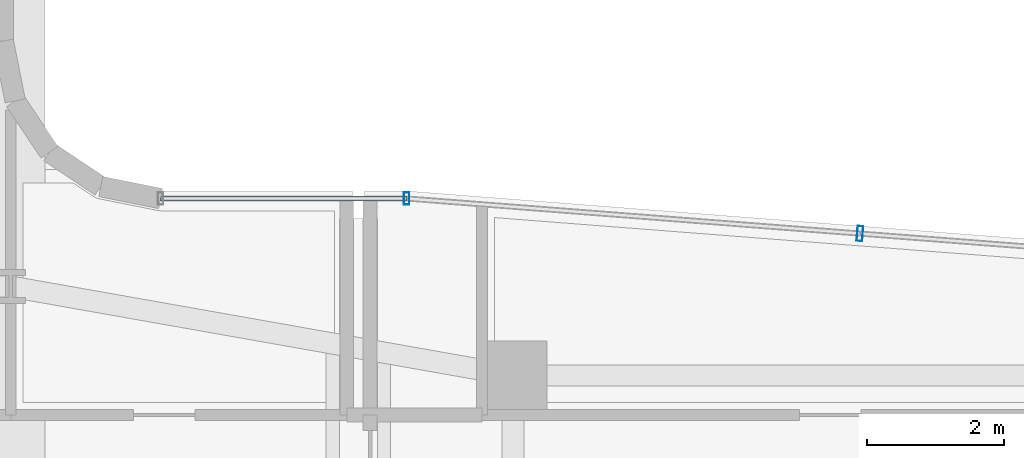
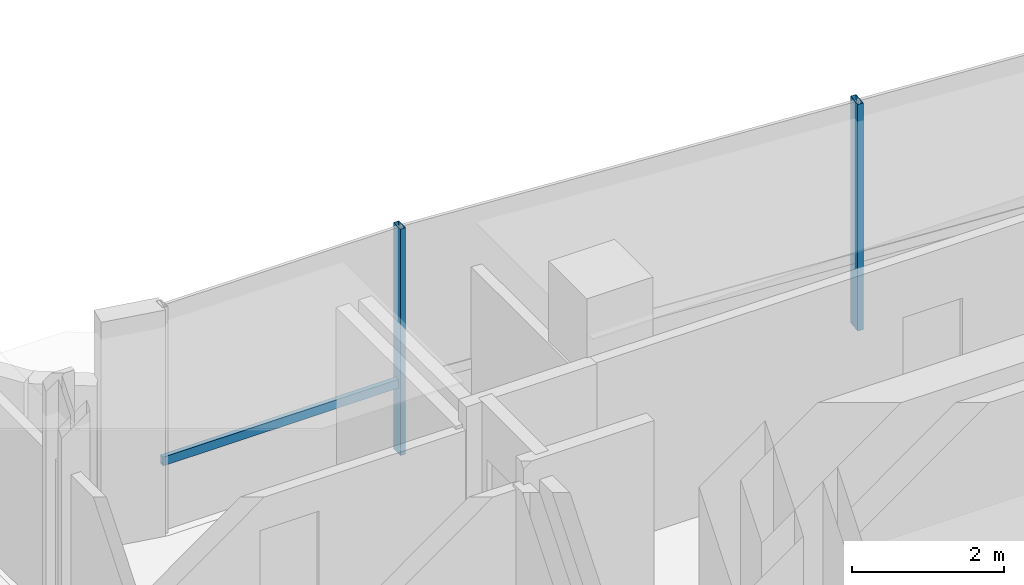
# One storey, part 23 of 37: 3 members, 2 elements without a shape of their own.
"""IFC4 building model written with IfcOpenShell, lengths in metres."""

from ifc_helpers import new_model, si_unit, direction, frame, origin, origin_2d, place, context, subcontext, project, spatial, hollow_rectangle, extrude, source, transform, mapped, material, material_profile, profile_set, type_object, element, aggregate, save


model = new_model("IFC4")

# Units and contexts
model_context = context("Model", 3, precision=1e-05, world=origin(), true_north=direction((0.0, 1.0)))
body_context = subcontext(model_context, "Body", "Model", "MODEL_VIEW")
ifc_project = project(units=[si_unit("LENGTHUNIT", "METRE"), si_unit("AREAUNIT", "SQUARE_METRE"), si_unit("VOLUMEUNIT", "CUBIC_METRE"), si_unit("PLANEANGLEUNIT", "RADIAN"), si_unit("MASSUNIT", "GRAM", prefix="KILO")], contexts=[model_context])

# Site, building, storey
site_placement = place(None, origin())
site = spatial("IfcSite", under=ifc_project, at=site_placement, CompositionType="ELEMENT")
building_placement = place(site_placement, origin())
building = spatial("IfcBuilding", under=site, at=building_placement, Name="Valdorenza Pilgrim Sanctuary Tower", CompositionType="ELEMENT")
storey_placement = place(building_placement, frame((0.0, 0.0, 188.39990234375)))
storey = spatial("IfcBuildingStorey", under=building, at=storey_placement, Name="L48", CompositionType="ELEMENT", Elevation=188.39990234375)

# Curtain wall, members
ifc_material_1 = material(Name="Curtain-wall IGU glazing", Category="glass")
curtain_wall_type_1 = type_object("IfcCurtainWallType", Name="CW-SYS-05", PredefinedType="NOTDEFINED", material=ifc_material_1)
curtain_wall_1_placement = place(storey_placement, origin())
curtain_wall_1 = element("IfcCurtainWall", 1, at=curtain_wall_1_placement, inside=storey, type_object=curtain_wall_type_1, Name="L48 Curtain Wall CW-L48-1-31", PredefinedType="NOTDEFINED")
ifc_material_2 = material(Name="Anodised aluminium AW-6060", Category="aluminium")
ifc_material_profile_1 = material_profile(ifc_material_2, hollow_rectangle(XDim=0.070068359375, YDim=0.139892578125, WallThickness=0.00341796875, at=origin_2d()), Name="ALU-T 140x70x3.5")
ifc_profile_set_1 = profile_set([ifc_material_profile_1], Name="Anodised aluminium AW-6060")
member_type_1 = type_object("IfcMemberType", Name="CW-TRN-05", PredefinedType="USERDEFINED", material=ifc_profile_set_1)
shared_shape_1 = source(origin(), body_context, "Body", "SweptSolid", [
    extrude(hollow_rectangle(XDim=0.070068359375, YDim=0.139892578125, WallThickness=0.00341796875, at=origin_2d()), origin(), (0.0, 0.0, 1.0), 3.6025390625),
])
member_1_placement = place(storey_placement, frame((10.693115234375, 16.090087890625, 1.1201171875), z_axis=(1.0, 0.0, 0.0), x_axis=(0.0, 1.0, 0.0)))
member_1 = element("IfcMember", 2, at=member_1_placement, type_object=member_type_1, Name="CW-L48-1-31 Transom 1", ObjectType="TRANSOM", PredefinedType="USERDEFINED", context=body_context, shape_type="MappedRepresentation", body=[
    mapped(shared_shape_1, transform((0.0, 0.0, 0.0), x_axis=(1.0, 0.0, 0.0), y_axis=(0.0, 1.0, 0.0), z_axis=(0.0, 0.0, 1.0), scale=1.0)),
])
ifc_material_profile_2 = material_profile(ifc_material_2, hollow_rectangle(XDim=0.080078125, YDim=0.179931640625, WallThickness=0.00439453125, at=origin_2d()), Name="ALU-M 180x80x4.5")
ifc_profile_set_2 = profile_set([ifc_material_profile_2], Name="Anodised aluminium AW-6060")
member_type_2 = type_object("IfcMemberType", Name="CW-MUL-05", PredefinedType="MULLION", material=ifc_profile_set_2)
shared_shape_2 = source(origin(), body_context, "Body", "SweptSolid", [
    extrude(hollow_rectangle(XDim=0.080078125, YDim=0.179931640625, WallThickness=0.00439453125, at=origin_2d()), origin(), (0.0, 0.0, 1.0), 3.630126953125),
])
member_2_placement = place(storey_placement, frame((14.295654296875, 16.090087890625, 0.0), z_axis=(0.0, 0.0, 1.0), x_axis=(1.0, 0.0, 0.0)))
member_2 = element("IfcMember", 3, at=member_2_placement, type_object=member_type_2, Name="CW-L48-1-31 Mullion 2", PredefinedType="MULLION", context=body_context, shape_type="MappedRepresentation", body=[
    mapped(shared_shape_2, transform((0.0, 0.0, 0.0), x_axis=(1.0, 0.0, 0.0), y_axis=(0.0, 1.0, 0.0), z_axis=(0.0, 0.0, 1.0), scale=1.0)),
])
aggregate(curtain_wall_1, [member_2, member_1])

# Curtain wall, member
curtain_wall_type_2 = type_object("IfcCurtainWallType", Name="CW-SYS-03", PredefinedType="NOTDEFINED", material=ifc_material_1)
curtain_wall_2_placement = place(storey_placement, origin())
curtain_wall_2 = element("IfcCurtainWall", 4, at=curtain_wall_2_placement, inside=storey, type_object=curtain_wall_type_2, Name="L48 Curtain Wall CW-L48-1-32", PredefinedType="NOTDEFINED")
ifc_material_profile_3 = material_profile(ifc_material_2, hollow_rectangle(XDim=0.0849609375, YDim=0.219970703125, WallThickness=0.0048828125, at=origin_2d()), Name="ALU-M 220x85x5")
ifc_profile_set_3 = profile_set([ifc_material_profile_3], Name="Anodised aluminium AW-6060")
member_type_3 = type_object("IfcMemberType", Name="CW-MUL-03", PredefinedType="MULLION", material=ifc_profile_set_3)
shared_shape_3 = source(origin(), body_context, "Body", "SweptSolid", [
    extrude(hollow_rectangle(XDim=0.0849609375, YDim=0.219970703125, WallThickness=0.0048828125, at=origin_2d()), origin(), (0.0, 0.0, 1.0), 3.630126953125),
])
member_3_placement = place(storey_placement, frame((20.93115234375, 15.576416015625, 0.0), z_axis=(0.0, 0.0, 1.0), x_axis=(0.997016488532, -0.077188869631, 0.0)))
member_3 = element("IfcMember", 5, at=member_3_placement, type_object=member_type_3, Name="CW-L48-1-32 Mullion 2", PredefinedType="MULLION", context=body_context, shape_type="MappedRepresentation", body=[
    mapped(shared_shape_3, transform((0.0, 0.0, 0.0), x_axis=(1.0, 0.0, 0.0), y_axis=(0.0, 1.0, 0.0), z_axis=(0.0, 0.0, 1.0), scale=1.0)),
])
aggregate(curtain_wall_2, [member_3])

save(model, "model.ifc")
